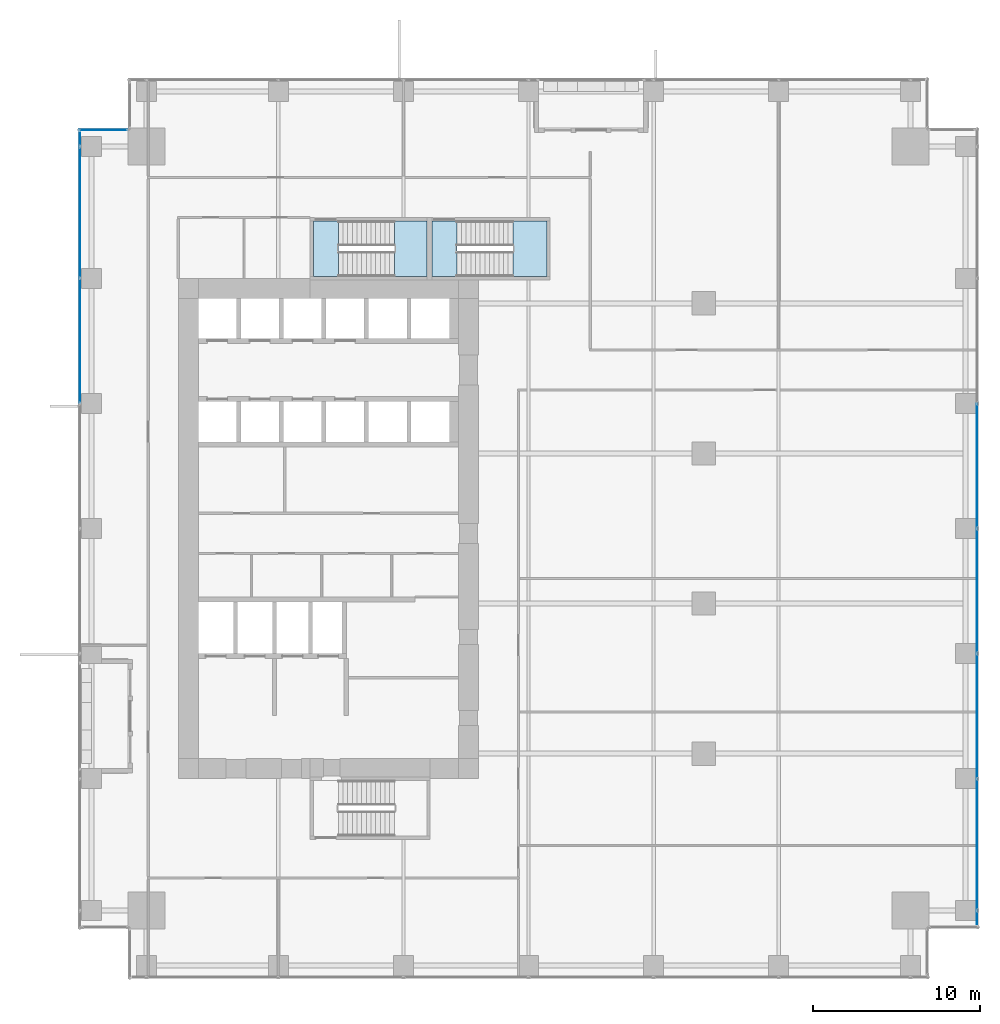
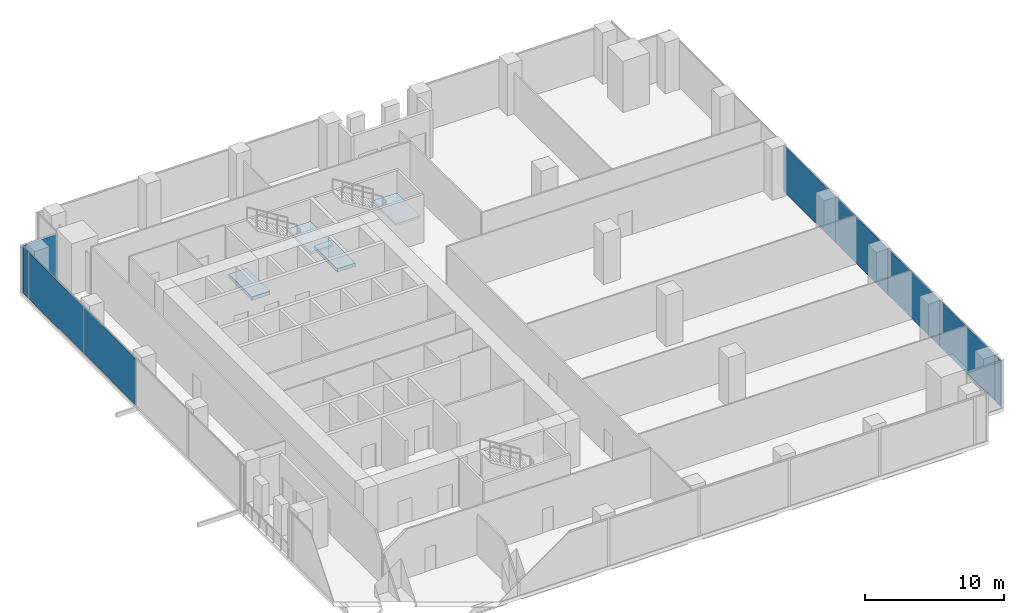
# One storey, part 24 of 33: 9 plates, 4 slabs, 5 elements without a shape of their own.
"""IFC4 building model written with IfcOpenShell, lengths in metres."""

from ifc_helpers import new_model, si_unit, direction, frame, origin, origin_2d, place, context, subcontext, project, spatial, polyline, rectangle, outline, extrude, source, transform, mapped, material, layer, layer_set, type_object, element, aggregate, save


model = new_model("IFC4")

# Units and contexts
model_context = context("Model", 3, precision=1e-05, world=origin(), true_north=direction((0.0, 1.0)))
body_context = subcontext(model_context, "Body", "Model", "MODEL_VIEW")
ifc_project = project(units=[si_unit("LENGTHUNIT", "METRE"), si_unit("AREAUNIT", "SQUARE_METRE"), si_unit("VOLUMEUNIT", "CUBIC_METRE"), si_unit("PLANEANGLEUNIT", "RADIAN"), si_unit("MASSUNIT", "GRAM", prefix="KILO")], contexts=[model_context])

# Site, building, storey
site_placement = place(None, origin())
site = spatial("IfcSite", under=ifc_project, at=site_placement, CompositionType="ELEMENT")
building_placement = place(site_placement, origin())
building = spatial("IfcBuilding", under=site, at=building_placement, Name="Khomas Fold Tower", CompositionType="ELEMENT")
storey_placement = place(building_placement, frame((0.0, 0.0, 91.5)))
storey = spatial("IfcBuildingStorey", under=building, at=storey_placement, Name="L19", CompositionType="ELEMENT", Elevation=91.5)

# Curtain wall, plate
ifc_material_1 = material(Name="Aluminium framed double glazing", Category="aluminium")
curtain_wall_type = type_object("IfcCurtainWallType", Name="SK-Unitised clear-glass wall, growing floors CW1", PredefinedType="NOTDEFINED", material=ifc_material_1)
curtain_wall_1_placement = place(storey_placement, origin())
curtain_wall_1 = element("IfcCurtainWall", 1, at=curtain_wall_1_placement, inside=storey, type_object=curtain_wall_type, Name="CW1 run L19 03-0", PredefinedType="NOTDEFINED")
ifc_material_2 = material(Name="Clear double glazed unit")
ifc_layer_1 = layer(ifc_material_2, 0.031982421875)
ifc_layer_set_1 = layer_set([ifc_layer_1], Name="Clear double glazed unit")
plate_type = type_object("IfcPlateType", Name="SK-Unitised clear-glass wall, growing floors glass panel CW1-P", PredefinedType="CURTAIN_PANEL", material=ifc_layer_set_1)
shared_shape_1 = source(origin(), body_context, "Body", "SweptSolid", [
    extrude(rectangle(XDim=0.81005859375, YDim=0.031982421875, at=origin_2d()), origin(), (0.0, 0.0, 1.0), 4.080078125),
])
plate_1_placement = place(storey_placement, frame((53.89990234375, 3.6650390625, 0.0), z_axis=(0.0, 0.0, 1.0), x_axis=(0.0, 1.0, 0.0)))
plate_1 = element("IfcPlate", 2, at=plate_1_placement, type_object=plate_type, Name="CW1 glass panel 1", PredefinedType="CURTAIN_PANEL", context=body_context, shape_type="MappedRepresentation", body=[
    mapped(shared_shape_1, transform((0.0, 0.0, 0.0))),
])

curtain_wall_2_placement = place(storey_placement, origin())
curtain_wall_2 = element("IfcCurtainWall", 3, at=curtain_wall_2_placement, inside=storey, type_object=curtain_wall_type, Name="CW1 run L19 09-0", PredefinedType="NOTDEFINED")
plate_2_placement = place(storey_placement, frame((0.10009765625, 50.3349609375, 0.0), z_axis=(0.0, 0.0, 1.0), x_axis=(0.0, -1.0, 0.0)))
plate_2 = element("IfcPlate", 4, at=plate_2_placement, type_object=plate_type, Name="CW1 glass panel 1", PredefinedType="CURTAIN_PANEL", context=body_context, shape_type="MappedRepresentation", body=[
    mapped(shared_shape_1, transform((0.0, 0.0, 0.0))),
])

# Plate
shared_shape_2 = source(origin(), body_context, "Body", "SweptSolid", [
    extrude(rectangle(XDim=7.840087890625, YDim=0.031982421875, at=origin_2d()), origin(), (0.0, 0.0, 1.0), 4.080078125),
])
plate_3_placement = place(storey_placement, frame((53.89990234375, 8.050048828125, 0.0), z_axis=(0.0, 0.0, 1.0), x_axis=(0.0, 1.0, 0.0)))
plate_3 = element("IfcPlate", 5, at=plate_3_placement, type_object=plate_type, Name="CW1 glass panel 2", PredefinedType="CURTAIN_PANEL", context=body_context, shape_type="MappedRepresentation", body=[
    mapped(shared_shape_2, transform((0.0, 0.0, 0.0))),
])

plate_4_placement = place(storey_placement, frame((0.10009765625, 45.949951171875, 0.0), z_axis=(0.0, 0.0, 1.0), x_axis=(0.0, -1.0, 0.0)))
plate_4 = element("IfcPlate", 6, at=plate_4_placement, type_object=plate_type, Name="CW1 glass panel 2", PredefinedType="CURTAIN_PANEL", context=body_context, shape_type="MappedRepresentation", body=[
    mapped(shared_shape_2, transform((0.0, 0.0, 0.0))),
])

shared_shape_3 = source(origin(), body_context, "Body", "SweptSolid", [
    extrude(rectangle(XDim=7.43994140625, YDim=0.031982421875, at=origin_2d()), origin(), (0.0, 0.0, 1.0), 4.080078125),
])
plate_5_placement = place(storey_placement, frame((53.89990234375, 15.75, 0.0), z_axis=(0.0, 0.0, 1.0), x_axis=(0.0, 1.0, 0.0)))
plate_5 = element("IfcPlate", 7, at=plate_5_placement, type_object=plate_type, Name="CW1 glass panel 3", PredefinedType="CURTAIN_PANEL", context=body_context, shape_type="MappedRepresentation", body=[
    mapped(shared_shape_3, transform((0.0, 0.0, 0.0))),
])

plate_6_placement = place(storey_placement, frame((53.89990234375, 23.25, 0.0), z_axis=(0.0, 0.0, 1.0), x_axis=(0.0, 1.0, 0.0)))
plate_6 = element("IfcPlate", 8, at=plate_6_placement, type_object=plate_type, Name="CW1 glass panel 4", PredefinedType="CURTAIN_PANEL", context=body_context, shape_type="MappedRepresentation", body=[
    mapped(shared_shape_3, transform((0.0, 0.0, 0.0))),
])

plate_7_placement = place(storey_placement, frame((53.89990234375, 30.75, 0.0), z_axis=(0.0, 0.0, 1.0), x_axis=(0.0, 1.0, 0.0)))
plate_7 = element("IfcPlate", 9, at=plate_7_placement, type_object=plate_type, Name="CW1 glass panel 5", PredefinedType="CURTAIN_PANEL", context=body_context, shape_type="MappedRepresentation", body=[
    mapped(shared_shape_3, transform((0.0, 0.0, 0.0))),
])

aggregate(curtain_wall_1, [plate_1, plate_3, plate_5, plate_6, plate_7])

plate_8_placement = place(storey_placement, frame((0.10009765625, 38.25, 0.0), z_axis=(0.0, 0.0, 1.0), x_axis=(0.0, -1.0, 0.0)))
plate_8 = element("IfcPlate", 10, at=plate_8_placement, type_object=plate_type, Name="CW1 glass panel 3", PredefinedType="CURTAIN_PANEL", context=body_context, shape_type="MappedRepresentation", body=[
    mapped(shared_shape_3, transform((0.0, 0.0, 0.0))),
])

aggregate(curtain_wall_2, [plate_2, plate_4, plate_8])

# Curtain wall, plate
curtain_wall_3_placement = place(storey_placement, origin())
curtain_wall_3 = element("IfcCurtainWall", 11, at=curtain_wall_3_placement, inside=storey, type_object=curtain_wall_type, Name="CW1 corner return L19 08", PredefinedType="NOTDEFINED")
shared_shape_4 = source(origin(), body_context, "Body", "SweptSolid", [
    extrude(rectangle(XDim=2.8798828125, YDim=0.031982421875, at=origin_2d()), origin(), (0.0, 0.0, 1.0), 4.080078125),
])
plate_9_placement = place(storey_placement, frame((1.5, 50.89990234375, 0.0), z_axis=(0.0, 0.0, 1.0), x_axis=(-1.0, 0.0, 0.0)))
plate_9 = element("IfcPlate", 12, at=plate_9_placement, type_object=plate_type, Name="CW1 glass panel 1", PredefinedType="CURTAIN_PANEL", context=body_context, shape_type="MappedRepresentation", body=[
    mapped(shared_shape_4, transform((0.0, 0.0, 0.0))),
])
aggregate(curtain_wall_3, [plate_9])

# Stair, slab
ifc_material_3 = material(Name="Concrete C40/50", Category="concrete")
stair_type_1 = type_object("IfcStairType", Name="Stair ST1", PredefinedType="HALF_TURN_STAIR", material=ifc_material_3)
stair_1_placement = place(storey_placement, origin())
stair_1 = element("IfcStair", 13, at=stair_1_placement, inside=storey, type_object=stair_type_1, Name="L19 ST1", PredefinedType="HALF_TURN_STAIR")
ifc_material_4 = material(Name="Concrete C40/50", Category="concrete")
ifc_layer_2 = layer(ifc_material_4, 0.199951171875)
ifc_layer_set_2 = layer_set([ifc_layer_2], Name="Concrete C40/50")
slab_type_1 = type_object("IfcSlabType", Name="Stair landing 200", PredefinedType="LANDING", material=ifc_layer_set_2)
shared_shape_5 = source(origin(), body_context, "Body", "SweptSolid", [
    extrude(outline(polyline([(18.9599609375, 42.10009765625), (20.89990234375, 42.10009765625), (20.89990234375, 45.449951171875), (18.9599609375, 45.449951171875), (18.9599609375, 42.10009765625)])), origin(), (0.0, 0.0, 1.0), 0.199951171875),
])
slab_1_placement = place(storey_placement, frame((0.0, 0.0, 2.050048828125)))
slab_1 = element("IfcSlab", 14, at=slab_1_placement, type_object=slab_type_1, Name="ST1 landing 1", PredefinedType="LANDING", context=body_context, shape_type="MappedRepresentation", body=[
    mapped(shared_shape_5, transform((0.0, 0.0, 0.0))),
])
aggregate(stair_1, [slab_1])

# Slab
ifc_material_5 = material(Name="Concrete C40/50", Category="concrete")
ifc_layer_3 = layer(ifc_material_5, 0.300048828125)
ifc_layer_set_3 = layer_set([ifc_layer_3], Name="Concrete C40/50")
slab_type_2 = type_object("IfcSlabType", Name="Stair floor landing 300", PredefinedType="LANDING", material=ifc_layer_set_3)
shared_shape_6 = source(origin(), body_context, "Body", "SweptSolid", [
    extrude(outline(polyline([(15.60009765625, 42.10009765625), (14.10009765625, 42.10009765625), (14.10009765625, 45.449951171875), (15.60009765625, 45.449951171875), (15.60009765625, 42.10009765625)])), origin(), (0.0, 0.0, 1.0), 0.300048828125),
])
slab_2_placement = place(storey_placement, frame((0.0, 0.0, -0.300048828125)))
element("IfcSlab", 15, at=slab_2_placement, inside=storey, type_object=slab_type_2, Name="ST1 floor landing", PredefinedType="LANDING", context=body_context, shape_type="MappedRepresentation", body=[
    mapped(shared_shape_6, transform((0.0, 0.0, 0.0))),
])

# Stair, slab
ifc_material_6 = material(Name="Concrete C40/50", Category="concrete")
stair_type_2 = type_object("IfcStairType", Name="Stair ST3", PredefinedType="HALF_TURN_STAIR", material=ifc_material_6)
stair_2_placement = place(storey_placement, origin())
stair_2 = element("IfcStair", 16, at=stair_2_placement, inside=storey, type_object=stair_type_2, Name="L19 ST3", PredefinedType="HALF_TURN_STAIR")
shared_shape_7 = source(origin(), body_context, "Body", "SweptSolid", [
    extrude(outline(polyline([(26.06005859375, 42.10009765625), (28.10009765625, 42.10009765625), (28.10009765625, 45.449951171875), (26.06005859375, 45.449951171875), (26.06005859375, 42.10009765625)])), origin(), (0.0, 0.0, 1.0), 0.199951171875),
])
slab_3_placement = place(storey_placement, frame((0.0, 0.0, 2.050048828125)))
slab_3 = element("IfcSlab", 17, at=slab_3_placement, type_object=slab_type_1, Name="ST3 landing 1", PredefinedType="LANDING", context=body_context, shape_type="MappedRepresentation", body=[
    mapped(shared_shape_7, transform((0.0, 0.0, 0.0))),
])
aggregate(stair_2, [slab_3])

# Slab
shared_shape_8 = source(origin(), body_context, "Body", "SweptSolid", [
    extrude(outline(polyline([(22.699951171875, 42.10009765625), (21.199951171875, 42.10009765625), (21.199951171875, 45.449951171875), (22.699951171875, 45.449951171875), (22.699951171875, 42.10009765625)])), origin(), (0.0, 0.0, 1.0), 0.300048828125),
])
slab_4_placement = place(storey_placement, frame((0.0, 0.0, -0.300048828125)))
element("IfcSlab", 18, at=slab_4_placement, inside=storey, type_object=slab_type_2, Name="ST3 floor landing", PredefinedType="LANDING", context=body_context, shape_type="MappedRepresentation", body=[
    mapped(shared_shape_8, transform((0.0, 0.0, 0.0))),
])

save(model, "model.ifc")
